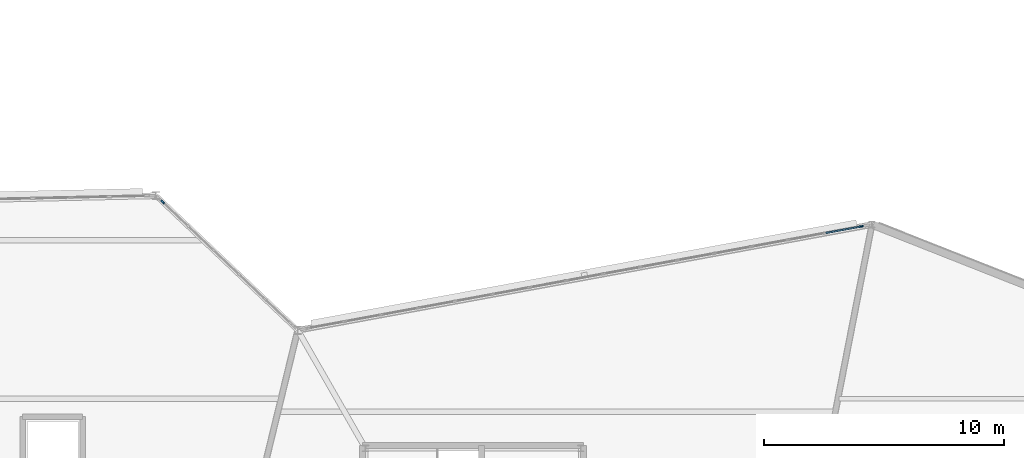
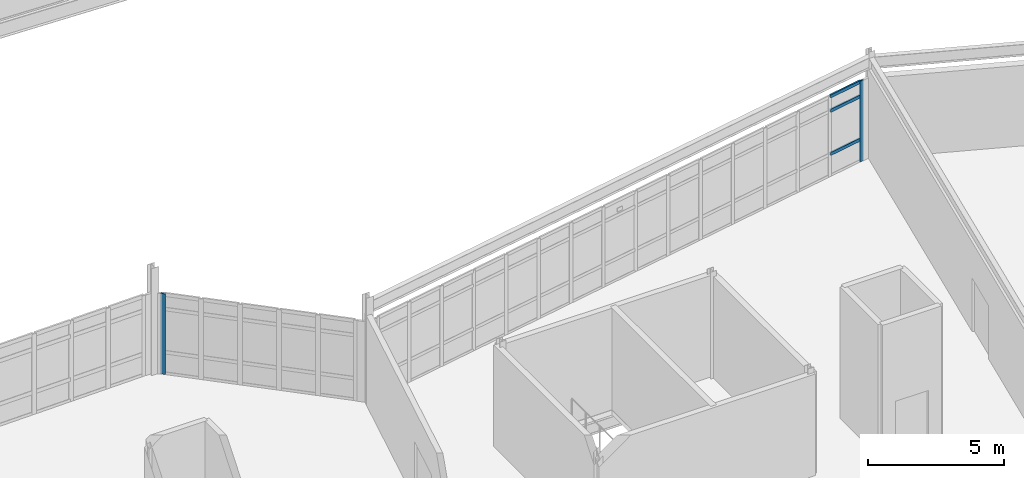
# One storey, part 30 of 76: 5 members, 2 elements without a shape of their own.
"""IFC4 building model written with IfcOpenShell, lengths in metres."""

from ifc_helpers import new_model, si_unit, direction, frame, origin, origin_2d, place, context, subcontext, project, spatial, rectangle, extrude, material, material_profile, profile_set, type_object, element, aggregate, save


model = new_model("IFC4")

# Units and contexts
model_context = context("Model", 3, precision=1e-05, world=origin(), true_north=direction((0.0, 1.0)))
body_context = subcontext(model_context, "Body", "Model", "MODEL_VIEW")
ifc_project = project(units=[si_unit("LENGTHUNIT", "METRE"), si_unit("AREAUNIT", "SQUARE_METRE"), si_unit("VOLUMEUNIT", "CUBIC_METRE"), si_unit("PLANEANGLEUNIT", "RADIAN"), si_unit("MASSUNIT", "GRAM", prefix="KILO")], contexts=[model_context])

# Site, building, storey
site_placement = place(None, origin())
site = spatial("IfcSite", under=ifc_project, at=site_placement, CompositionType="ELEMENT")
building_placement = place(site_placement, origin())
building = spatial("IfcBuilding", under=site, at=building_placement, Name="Tameran Prism Museum", CompositionType="ELEMENT")
storey_placement = place(building_placement, frame((0.0, 0.0, 15.0)))
storey = spatial("IfcBuildingStorey", under=building, at=storey_placement, Name="L03", CompositionType="ELEMENT", Elevation=15.0)

# Curtain wall, member
ifc_material_1 = material(Name="Anodised Aluminium 6063-T6 and Cyclone Solar Glass", Category="aluminium")
curtain_wall_type_1 = type_object("IfcCurtainWallType", Name="CW-FAC-2348x362", PredefinedType="USERDEFINED", material=ifc_material_1)
curtain_wall_1_placement = place(storey_placement, origin())
curtain_wall_1 = element("IfcCurtainWall", 1, at=curtain_wall_1_placement, inside=storey, type_object=curtain_wall_type_1, Name="Unitised Curtain Wall CW-147", ObjectType="UNITISED CURTAIN WALL", PredefinedType="USERDEFINED")
ifc_material_2 = material(Name="Anodised Aluminium Alloy 6063-T6", Category="aluminium")
ifc_material_profile_1 = material_profile(ifc_material_2, rectangle(XDim=0.06494140625, YDim=0.159912109375, at=origin_2d()))
ifc_profile_set_1 = profile_set([ifc_material_profile_1])
member_type_1 = type_object("IfcMemberType", Name="CW-MUL-A", PredefinedType="MULLION", material=ifc_profile_set_1)
member_1_placement = place(storey_placement, frame((125.1611328125, 47.319091796875, 0.0), z_axis=(0.0, 0.0, 1.0), x_axis=(-0.181062693106, 0.98347155585, 0.0)))
member_1 = element("IfcMember", 2, at=member_1_placement, type_object=member_type_1, Name="CW-147 mullion 16", PredefinedType="MULLION", context=body_context, shape_type="SweptSolid", body=[
    extrude(rectangle(XDim=0.06494140625, YDim=0.159912109375, at=origin_2d()), origin(), (0.0, 0.0, 1.0), 3.6201171875),
])

ifc_material_3 = material(Name="Anodised Aluminium 6063-T6 and Cyclone Solar Glass", Category="aluminium")
curtain_wall_type_2 = type_object("IfcCurtainWallType", Name="CW-FAC-738x362", PredefinedType="USERDEFINED", material=ifc_material_3)
curtain_wall_2_placement = place(storey_placement, origin())
curtain_wall_2 = element("IfcCurtainWall", 3, at=curtain_wall_2_placement, inside=storey, type_object=curtain_wall_type_2, Name="Unitised Curtain Wall CW-140", ObjectType="UNITISED CURTAIN WALL", PredefinedType="USERDEFINED")
ifc_material_4 = material(Name="Anodised Aluminium Alloy 6063-T6", Category="aluminium")
ifc_material_profile_2 = material_profile(ifc_material_4, rectangle(XDim=0.070068359375, YDim=0.179931640625, at=origin_2d()))
ifc_profile_set_2 = profile_set([ifc_material_profile_2])
member_type_2 = type_object("IfcMemberType", Name="CW-MUL-B", PredefinedType="MULLION", material=ifc_profile_set_2)
member_2_placement = place(storey_placement, frame((96.079345703125, 48.3349609375, 0.0), z_axis=(0.0, 0.0, 1.0), x_axis=(0.688425100987, 0.725307438491, 0.0)))
member_2 = element("IfcMember", 4, at=member_2_placement, type_object=member_type_2, Name="CW-140 mullion 1", PredefinedType="MULLION", context=body_context, shape_type="SweptSolid", body=[
    extrude(rectangle(XDim=0.070068359375, YDim=0.179931640625, at=origin_2d()), origin(), (0.0, 0.0, 1.0), 3.6201171875),
])
aggregate(curtain_wall_2, [member_2])

# Member
ifc_material_5 = material(Name="Anodised Aluminium Alloy 6063-T6", Category="aluminium")
ifc_material_profile_3 = material_profile(ifc_material_5, rectangle(XDim=0.06494140625, YDim=0.139892578125, at=origin_2d()))
ifc_profile_set_3 = profile_set([ifc_material_profile_3])
member_type_3 = type_object("IfcMemberType", Name="CW-TRN-A", PredefinedType="USERDEFINED", material=ifc_profile_set_3)
member_3_placement = place(storey_placement, frame((123.685546875, 47.04736328125, 1.0), z_axis=(0.983460206114, 0.181124330198, 0.0), x_axis=(-0.181124330198, 0.983460206114, 0.0)))
member_3 = element("IfcMember", 5, at=member_3_placement, type_object=member_type_3, Name="CW-147 transom 15.2", ObjectType="TRANSOM", PredefinedType="USERDEFINED", context=body_context, shape_type="SweptSolid", body=[
    extrude(rectangle(XDim=0.06494140625, YDim=0.139892578125, at=origin_2d()), origin(), (0.0, 0.0, 1.0), 1.4677734375),
])

member_4_placement = place(storey_placement, frame((123.685546875, 47.04736328125, 2.93994140625), z_axis=(0.983460206114, 0.181124330198, 0.0), x_axis=(-0.181124330198, 0.983460206114, 0.0)))
member_4 = element("IfcMember", 6, at=member_4_placement, type_object=member_type_3, Name="CW-147 transom 15.3", ObjectType="TRANSOM", PredefinedType="USERDEFINED", context=body_context, shape_type="SweptSolid", body=[
    extrude(rectangle(XDim=0.06494140625, YDim=0.139892578125, at=origin_2d()), origin(), (0.0, 0.0, 1.0), 1.4677734375),
])

member_5_placement = place(storey_placement, frame((123.685546875, 47.04736328125, 3.58740234375), z_axis=(0.983460206114, 0.181124330198, 0.0), x_axis=(-0.181124330198, 0.983460206114, 0.0)))
member_5 = element("IfcMember", 7, at=member_5_placement, type_object=member_type_3, Name="CW-147 transom 15.4", ObjectType="TRANSOM", PredefinedType="USERDEFINED", context=body_context, shape_type="SweptSolid", body=[
    extrude(rectangle(XDim=0.06494140625, YDim=0.139892578125, at=origin_2d()), origin(), (0.0, 0.0, 1.0), 1.4677734375),
])

aggregate(curtain_wall_1, [member_1, member_3, member_4, member_5])

save(model, "model.ifc")
